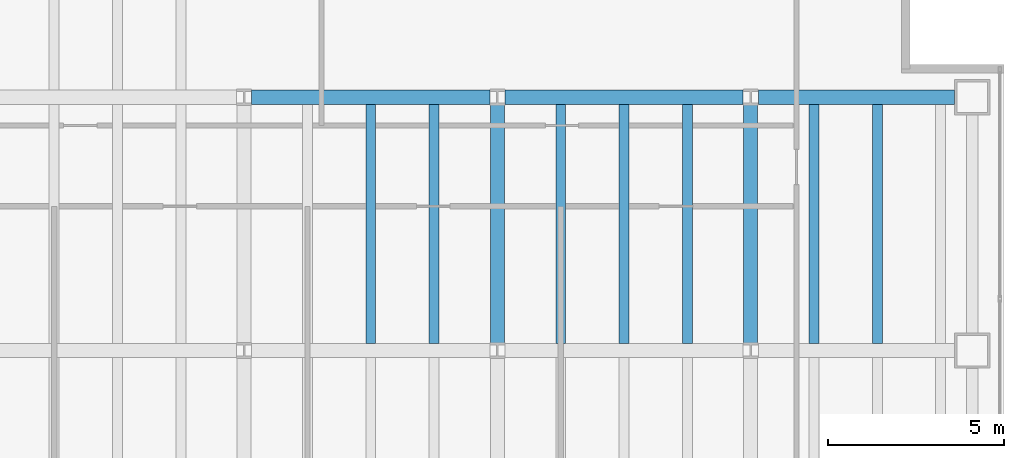
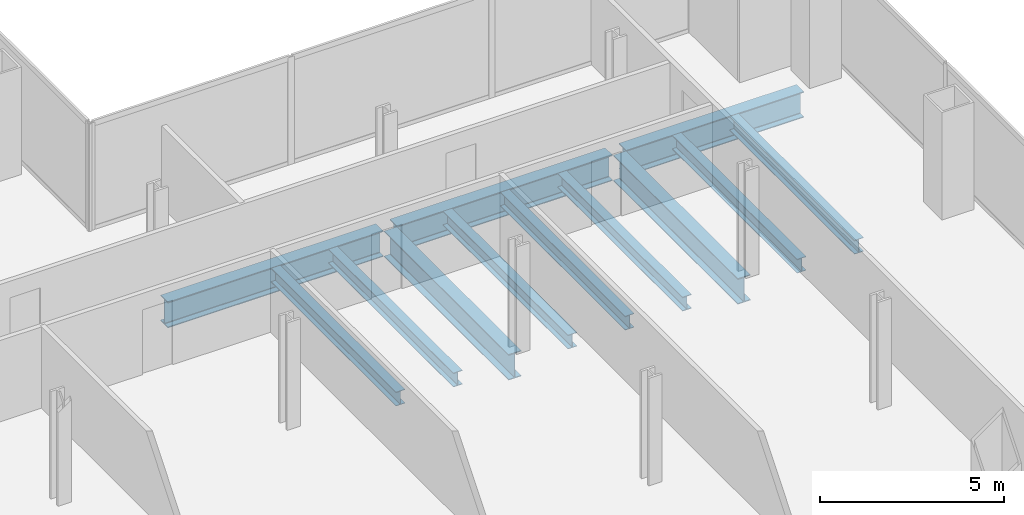
# One storey, part 11 of 23: 12 beams.
"""IFC4 building model written with IfcOpenShell, lengths in metres."""

from ifc_helpers import new_model, si_unit, direction, frame, origin, origin_2d, place, context, subcontext, project, spatial, i_section, extrude, material, material_profile, profile_set, type_object, element, save


model = new_model("IFC4")

# Units and contexts
model_context = context("Model", 3, precision=1e-05, world=origin(), true_north=direction((0.0, 1.0)))
body_context = subcontext(model_context, "Body", "Model", "MODEL_VIEW")
ifc_project = project(units=[si_unit("LENGTHUNIT", "METRE"), si_unit("AREAUNIT", "SQUARE_METRE"), si_unit("VOLUMEUNIT", "CUBIC_METRE"), si_unit("PLANEANGLEUNIT", "RADIAN"), si_unit("MASSUNIT", "GRAM", prefix="KILO")], contexts=[model_context])

# Site, building, storey
site_placement = place(None, origin())
site = spatial("IfcSite", under=ifc_project, at=site_placement, CompositionType="ELEMENT")
building_placement = place(site_placement, origin())
building = spatial("IfcBuilding", under=site, at=building_placement, Name="Cobrela Telecom Tower", CompositionType="ELEMENT")
storey_placement = place(building_placement, frame((0.0, 0.0, 54.25)))
storey = spatial("IfcBuildingStorey", under=building, at=storey_placement, Name="L13", CompositionType="ELEMENT", Elevation=54.25)

# Beams
ifc_material = material(Name="Steel ASTM A992 Grade 50", Category="steel")
ifc_material_profile_1 = material_profile(ifc_material, i_section(OverallWidth=0.39892578125, OverallDepth=0.85595703125, WebThickness=0.018310546875, FlangeThickness=0.029296875, FilletRadius=0.02001953125, at=origin_2d()), Name="W33X201")
ifc_profile_set_1 = profile_set([ifc_material_profile_1], Name="Steel ASTM A992 Grade 50")
beam_type_1 = type_object("IfcBeamType", Name="BM-GIRD-03", PredefinedType="USERDEFINED", material=ifc_profile_set_1)
for number, where, z_axis, x_axis, name in (
    (1, (29.01611328125, 21.60009765625, -0.7080078125), (1.0, 0.0, 0.0), (0.0, 1.0, 0.0), "L13 Primary Girder X20"),
    (2, (36.216064453125, 21.60009765625, -0.7080078125), (1.0, 0.0, 0.0), (0.0, 1.0, 0.0), "L13 Primary Girder X21"),
):
    element("IfcBeam", number, at=place(storey_placement, frame(where, z_axis=z_axis, x_axis=x_axis)), inside=storey, type_object=beam_type_1, Name=name, ObjectType="GIRDER", PredefinedType="USERDEFINED", context=body_context, shape_type="SweptSolid", body=[
        extrude(i_section(OverallWidth=0.39892578125, OverallDepth=0.85595703125, WebThickness=0.018310546875, FlangeThickness=0.029296875, FilletRadius=0.02001953125, at=origin_2d()), origin(), (0.0, 0.0, 1.0), 6.767822265625),
    ])
beam_placement = place(storey_placement, frame((43.416015625, 21.60009765625, -0.7080078125), z_axis=(1.0, 0.0, 0.0), x_axis=(0.0, 1.0, 0.0)))
element("IfcBeam", 3, at=beam_placement, inside=storey, type_object=beam_type_1, Name="L13 Primary Girder X22", ObjectType="GIRDER", PredefinedType="USERDEFINED", context=body_context, shape_type="SweptSolid", body=[
    extrude(i_section(OverallWidth=0.39892578125, OverallDepth=0.85595703125, WebThickness=0.018310546875, FlangeThickness=0.029296875, FilletRadius=0.02001953125, at=origin_2d()), origin(), (0.0, 0.0, 1.0), 5.5791015625),
])
for number, where, z_axis, x_axis, name in (
    (4, (36.0, 14.615966796875, -0.7080078125), (0.0, 1.0, 0.0), (-1.0, 0.0, 0.0), "L13 Primary Girder Y52"),
    (5, (43.199951171875, 14.615966796875, -0.7080078125), (0.0, 1.0, 0.0), (-1.0, 0.0, 0.0), "L13 Primary Girder Y55"),
):
    element("IfcBeam", number, at=place(storey_placement, frame(where, z_axis=z_axis, x_axis=x_axis)), inside=storey, type_object=beam_type_1, Name=name, ObjectType="GIRDER", PredefinedType="USERDEFINED", context=body_context, shape_type="SweptSolid", body=[
        extrude(i_section(OverallWidth=0.39892578125, OverallDepth=0.85595703125, WebThickness=0.018310546875, FlangeThickness=0.029296875, FilletRadius=0.02001953125, at=origin_2d()), origin(), (0.0, 0.0, 1.0), 6.76806640625),
    ])
ifc_material_profile_2 = material_profile(ifc_material, i_section(OverallWidth=0.281982421875, OverallDepth=0.467041015625, WebThickness=0.01220703125, FlangeThickness=0.01953125, FilletRadius=0.012939453125, at=origin_2d()), Name="W18X86")
ifc_profile_set_2 = profile_set([ifc_material_profile_2], Name="Steel ASTM A992 Grade 50")
beam_type_2 = type_object("IfcBeamType", Name="BM-JOIST-02", PredefinedType="JOIST", material=ifc_profile_set_2)
for number, where, z_axis, x_axis, name in (
    (6, (32.39990234375, 14.6044921875, -0.513427734375), (0.0, 1.0, 0.0), (-1.0, 0.0, 0.0), "L13 Secondary Composite Floor Beam J46"),
    (7, (34.199951171875, 14.6044921875, -0.513427734375), (0.0, 1.0, 0.0), (-1.0, 0.0, 0.0), "L13 Secondary Composite Floor Beam J49"),
    (8, (37.800048828125, 14.6044921875, -0.513427734375), (0.0, 1.0, 0.0), (-1.0, 0.0, 0.0), "L13 Secondary Composite Floor Beam J52"),
    (9, (39.60009765625, 14.6044921875, -0.513427734375), (0.0, 1.0, 0.0), (-1.0, 0.0, 0.0), "L13 Secondary Composite Floor Beam J55"),
    (10, (41.39990234375, 14.6044921875, -0.513427734375), (0.0, 1.0, 0.0), (-1.0, 0.0, 0.0), "L13 Secondary Composite Floor Beam J58"),
    (11, (45.0, 14.6044921875, -0.513427734375), (0.0, 1.0, 0.0), (-1.0, 0.0, 0.0), "L13 Secondary Composite Floor Beam J60"),
    (12, (46.800048828125, 14.6044921875, -0.513427734375), (0.0, 1.0, 0.0), (-1.0, 0.0, 0.0), "L13 Secondary Composite Floor Beam J62"),
):
    element("IfcBeam", number, at=place(storey_placement, frame(where, z_axis=z_axis, x_axis=x_axis)), inside=storey, type_object=beam_type_2, Name=name, PredefinedType="JOIST", context=body_context, shape_type="SweptSolid", body=[
        extrude(i_section(OverallWidth=0.281982421875, OverallDepth=0.467041015625, WebThickness=0.01220703125, FlangeThickness=0.01953125, FilletRadius=0.012939453125, at=origin_2d()), origin(), (0.0, 0.0, 1.0), 6.791015625),
    ])

save(model, "model.ifc")
